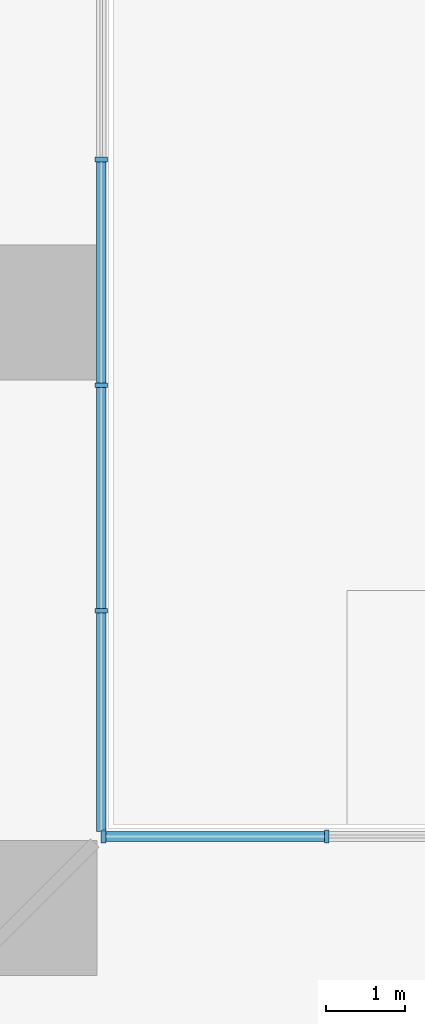
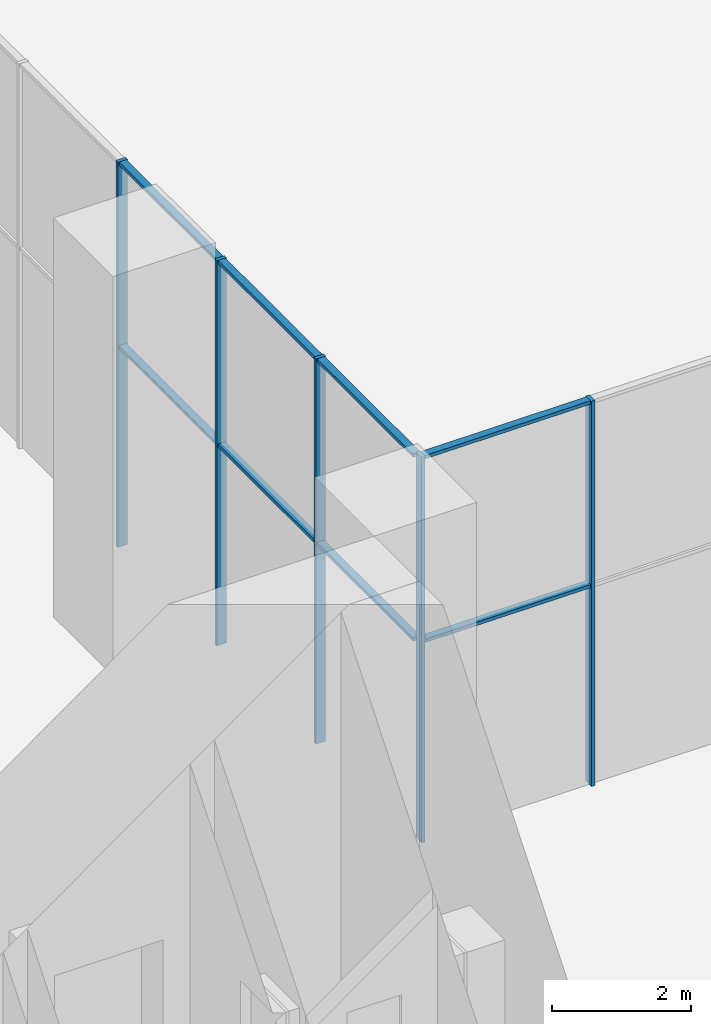
# One storey, part 10 of 43: 13 members, 2 elements without a shape of their own.
"""IFC4 building model written with IfcOpenShell, lengths in metres."""

from ifc_helpers import new_model, si_unit, direction, frame, origin, origin_2d, place, context, subcontext, project, spatial, rectangle, extrude, material, material_profile, profile_set, type_object, element, aggregate, save


model = new_model("IFC4")

# Units and contexts
model_context = context("Model", 3, precision=1e-05, world=origin(), true_north=direction((0.0, 1.0)))
body_context = subcontext(model_context, "Body", "Model", "MODEL_VIEW")
ifc_project = project(units=[si_unit("LENGTHUNIT", "METRE"), si_unit("AREAUNIT", "SQUARE_METRE"), si_unit("VOLUMEUNIT", "CUBIC_METRE"), si_unit("PLANEANGLEUNIT", "RADIAN"), si_unit("MASSUNIT", "GRAM", prefix="KILO")], contexts=[model_context])

# Site, building, storey
site_placement = place(None, origin())
site = spatial("IfcSite", under=ifc_project, at=site_placement, CompositionType="ELEMENT")
building_placement = place(site_placement, origin())
building = spatial("IfcBuilding", under=site, at=building_placement, Name="Mizan Broadcast Tower", CompositionType="ELEMENT")
storey_placement = place(building_placement, origin())
storey = spatial("IfcBuildingStorey", under=building, at=storey_placement, Name="L00", CompositionType="ELEMENT", Elevation=0.0)

# Curtain wall, members
ifc_material_1 = material(Name="Aluminium framed glazing", Category="aluminium")
curtain_wall_type = type_object("IfcCurtainWallType", Name="PODIUM CURTAIN WALL", PredefinedType="USERDEFINED", material=ifc_material_1)
curtain_wall_1_placement = place(storey_placement, origin())
curtain_wall_1 = element("IfcCurtainWall", 1, at=curtain_wall_1_placement, inside=storey, type_object=curtain_wall_type, Name="Podium curtain wall L00 E side", ObjectType="PODIUM CURTAIN WALL", PredefinedType="USERDEFINED")
ifc_material_2 = material(Name="Aluminium, pale anodised", Category="aluminium")
ifc_material_profile_1 = material_profile(ifc_material_2, rectangle(XDim=0.159912109375, YDim=0.06005859375, at=origin_2d()), Name="MULLION 160x60")
ifc_profile_set_1 = profile_set([ifc_material_profile_1], Name="Aluminium, pale anodised")
member_type_1 = type_object("IfcMemberType", Name="INNER SKIN MULLION 60x160", PredefinedType="MULLION", material=ifc_profile_set_1)
member_1_placement = place(storey_placement, frame((15.7431640625, 12.89990234375, 0.0), z_axis=(0.0, 0.0, 1.0), x_axis=(0.0, -1.0, 0.0)))
member_1 = element("IfcMember", 2, at=member_1_placement, type_object=member_type_1, Name="Podium curtain wall L00 E side mullion 6", PredefinedType="MULLION", context=body_context, shape_type="SweptSolid", body=[
    extrude(rectangle(XDim=0.159912109375, YDim=0.06005859375, at=origin_2d()), origin(), (0.0, 0.0, 1.0), 6.75),
])
member_2_placement = place(storey_placement, frame((12.929931640625, 12.89990234375, 0.0), z_axis=(0.0, 0.0, 1.0), x_axis=(0.0, -1.0, 0.0)))
member_2 = element("IfcMember", 3, at=member_2_placement, type_object=member_type_1, Name="Podium curtain wall L00 E side mullion 7", PredefinedType="MULLION", context=body_context, shape_type="SweptSolid", body=[
    extrude(rectangle(XDim=0.159912109375, YDim=0.06005859375, at=origin_2d()), origin(), (0.0, 0.0, 1.0), 6.75),
])

curtain_wall_2_placement = place(storey_placement, origin())
curtain_wall_2 = element("IfcCurtainWall", 4, at=curtain_wall_2_placement, inside=storey, type_object=curtain_wall_type, Name="Podium curtain wall L00 N side", ObjectType="PODIUM CURTAIN WALL", PredefinedType="USERDEFINED")
member_3_placement = place(storey_placement, frame((12.89990234375, 15.7431640625, 0.0), z_axis=(0.0, 0.0, 1.0), x_axis=(-1.0, 0.0, 0.0)))
member_3 = element("IfcMember", 5, at=member_3_placement, type_object=member_type_1, Name="Podium curtain wall L00 N side mullion 2", PredefinedType="MULLION", context=body_context, shape_type="SweptSolid", body=[
    extrude(rectangle(XDim=0.159912109375, YDim=0.06005859375, at=origin_2d()), origin(), (0.0, 0.0, 1.0), 6.75),
])
member_4_placement = place(storey_placement, frame((12.89990234375, 18.586181640625, 0.0), z_axis=(0.0, 0.0, 1.0), x_axis=(-1.0, 0.0, 0.0)))
member_4 = element("IfcMember", 6, at=member_4_placement, type_object=member_type_1, Name="Podium curtain wall L00 N side mullion 3", PredefinedType="MULLION", context=body_context, shape_type="SweptSolid", body=[
    extrude(rectangle(XDim=0.159912109375, YDim=0.06005859375, at=origin_2d()), origin(), (0.0, 0.0, 1.0), 6.75),
])
member_5_placement = place(storey_placement, frame((12.89990234375, 21.42919921875, 0.0), z_axis=(0.0, 0.0, 1.0), x_axis=(-1.0, 0.0, 0.0)))
member_5 = element("IfcMember", 7, at=member_5_placement, type_object=member_type_1, Name="Podium curtain wall L00 N side mullion 4", PredefinedType="MULLION", context=body_context, shape_type="SweptSolid", body=[
    extrude(rectangle(XDim=0.159912109375, YDim=0.06005859375, at=origin_2d()), origin(), (0.0, 0.0, 1.0), 6.75),
])

# Member
ifc_material_3 = material(Name="Aluminium, pale anodised", Category="aluminium")
ifc_material_profile_2 = material_profile(ifc_material_3, rectangle(XDim=0.1201171875, YDim=0.06005859375, at=origin_2d()), Name="TRANSOM 120x60")
ifc_profile_set_2 = profile_set([ifc_material_profile_2], Name="Aluminium, pale anodised")
member_type_2 = type_object("IfcMemberType", Name="INNER SKIN TRANSOM 60x120", PredefinedType="USERDEFINED", material=ifc_profile_set_2)
member_6_placement = place(storey_placement, frame((15.713134765625, 12.89990234375, 3.5), z_axis=(-1.0, 0.0, 0.0), x_axis=(0.0, -1.0, 0.0)))
member_6 = element("IfcMember", 8, at=member_6_placement, type_object=member_type_2, Name="Podium curtain wall L00 E side transom 6.1", ObjectType="TRANSOM", PredefinedType="USERDEFINED", context=body_context, shape_type="SweptSolid", body=[
    extrude(rectangle(XDim=0.1201171875, YDim=0.06005859375, at=origin_2d()), origin(), (0.0, 0.0, 1.0), 2.753173828125),
])

member_7_placement = place(storey_placement, frame((15.713134765625, 12.89990234375, 6.719970703125), z_axis=(-1.0, 0.0, 0.0), x_axis=(0.0, -1.0, 0.0)))
member_7 = element("IfcMember", 9, at=member_7_placement, type_object=member_type_2, Name="Podium curtain wall L00 E side transom 6.2", ObjectType="TRANSOM", PredefinedType="USERDEFINED", context=body_context, shape_type="SweptSolid", body=[
    extrude(rectangle(XDim=0.1201171875, YDim=0.06005859375, at=origin_2d()), origin(), (0.0, 0.0, 1.0), 2.753173828125),
])

aggregate(curtain_wall_1, [member_1, member_2, member_6, member_7])

member_8_placement = place(storey_placement, frame((12.89990234375, 12.9599609375, 3.5), z_axis=(0.0, 1.0, 0.0), x_axis=(-1.0, 0.0, 0.0)))
member_8 = element("IfcMember", 10, at=member_8_placement, type_object=member_type_2, Name="Podium curtain wall L00 N side transom 1.1", ObjectType="TRANSOM", PredefinedType="USERDEFINED", context=body_context, shape_type="SweptSolid", body=[
    extrude(rectangle(XDim=0.1201171875, YDim=0.06005859375, at=origin_2d()), origin(), (0.0, 0.0, 1.0), 2.753173828125),
])

member_9_placement = place(storey_placement, frame((12.89990234375, 12.9599609375, 6.719970703125), z_axis=(0.0, 1.0, 0.0), x_axis=(-1.0, 0.0, 0.0)))
member_9 = element("IfcMember", 11, at=member_9_placement, type_object=member_type_2, Name="Podium curtain wall L00 N side transom 1.2", ObjectType="TRANSOM", PredefinedType="USERDEFINED", context=body_context, shape_type="SweptSolid", body=[
    extrude(rectangle(XDim=0.1201171875, YDim=0.06005859375, at=origin_2d()), origin(), (0.0, 0.0, 1.0), 2.753173828125),
])

member_10_placement = place(storey_placement, frame((12.89990234375, 15.773193359375, 3.5), z_axis=(0.0, 1.0, 0.0), x_axis=(-1.0, 0.0, 0.0)))
member_10 = element("IfcMember", 12, at=member_10_placement, type_object=member_type_2, Name="Podium curtain wall L00 N side transom 2.1", ObjectType="TRANSOM", PredefinedType="USERDEFINED", context=body_context, shape_type="SweptSolid", body=[
    extrude(rectangle(XDim=0.1201171875, YDim=0.06005859375, at=origin_2d()), origin(), (0.0, 0.0, 1.0), 2.782958984375),
])

member_11_placement = place(storey_placement, frame((12.89990234375, 15.773193359375, 6.719970703125), z_axis=(0.0, 1.0, 0.0), x_axis=(-1.0, 0.0, 0.0)))
member_11 = element("IfcMember", 13, at=member_11_placement, type_object=member_type_2, Name="Podium curtain wall L00 N side transom 2.2", ObjectType="TRANSOM", PredefinedType="USERDEFINED", context=body_context, shape_type="SweptSolid", body=[
    extrude(rectangle(XDim=0.1201171875, YDim=0.06005859375, at=origin_2d()), origin(), (0.0, 0.0, 1.0), 2.782958984375),
])

member_12_placement = place(storey_placement, frame((12.89990234375, 18.6162109375, 3.5), z_axis=(0.0, 1.0, 0.0), x_axis=(-1.0, 0.0, 0.0)))
member_12 = element("IfcMember", 14, at=member_12_placement, type_object=member_type_2, Name="Podium curtain wall L00 N side transom 3.1", ObjectType="TRANSOM", PredefinedType="USERDEFINED", context=body_context, shape_type="SweptSolid", body=[
    extrude(rectangle(XDim=0.1201171875, YDim=0.06005859375, at=origin_2d()), origin(), (0.0, 0.0, 1.0), 2.782958984375),
])

member_13_placement = place(storey_placement, frame((12.89990234375, 18.6162109375, 6.719970703125), z_axis=(0.0, 1.0, 0.0), x_axis=(-1.0, 0.0, 0.0)))
member_13 = element("IfcMember", 15, at=member_13_placement, type_object=member_type_2, Name="Podium curtain wall L00 N side transom 3.2", ObjectType="TRANSOM", PredefinedType="USERDEFINED", context=body_context, shape_type="SweptSolid", body=[
    extrude(rectangle(XDim=0.1201171875, YDim=0.06005859375, at=origin_2d()), origin(), (0.0, 0.0, 1.0), 2.782958984375),
])

aggregate(curtain_wall_2, [member_3, member_4, member_5, member_8, member_9, member_10, member_11, member_12, member_13])

save(model, "model.ifc")
